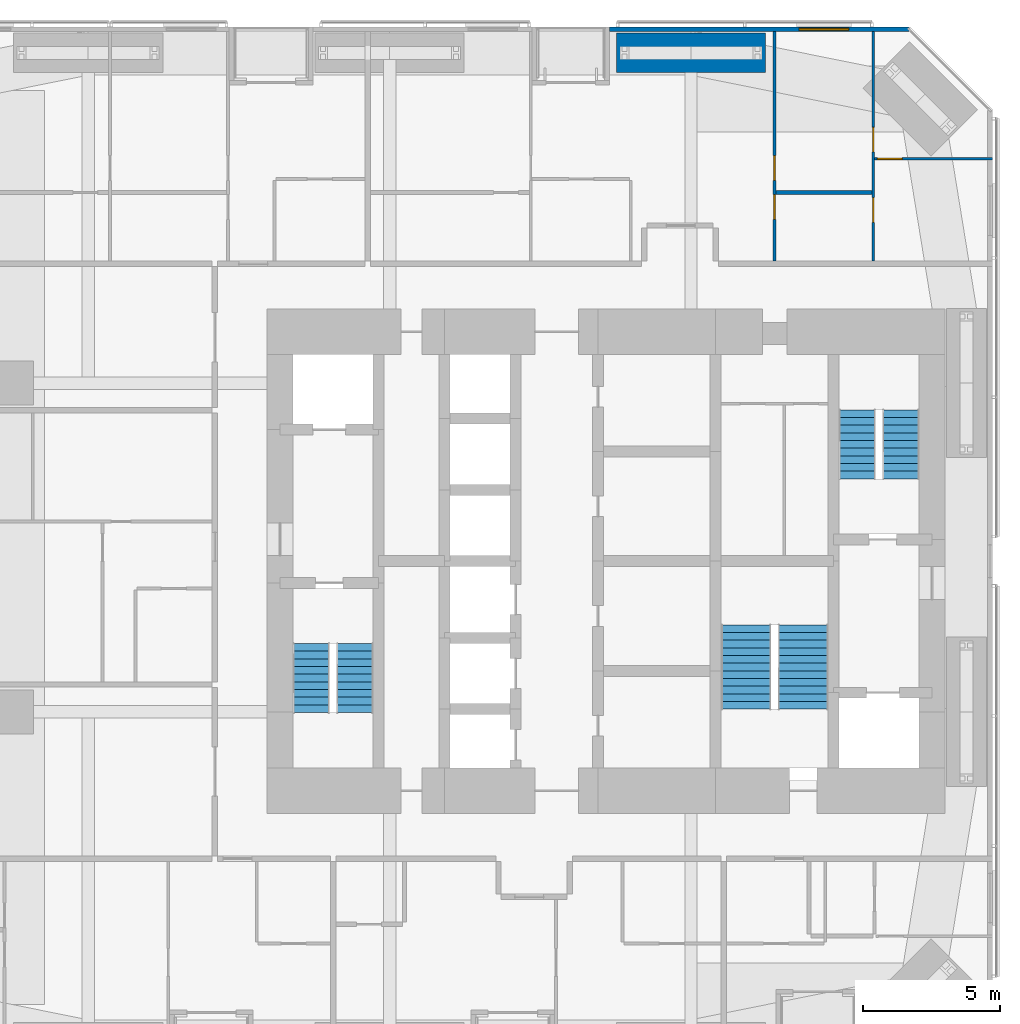
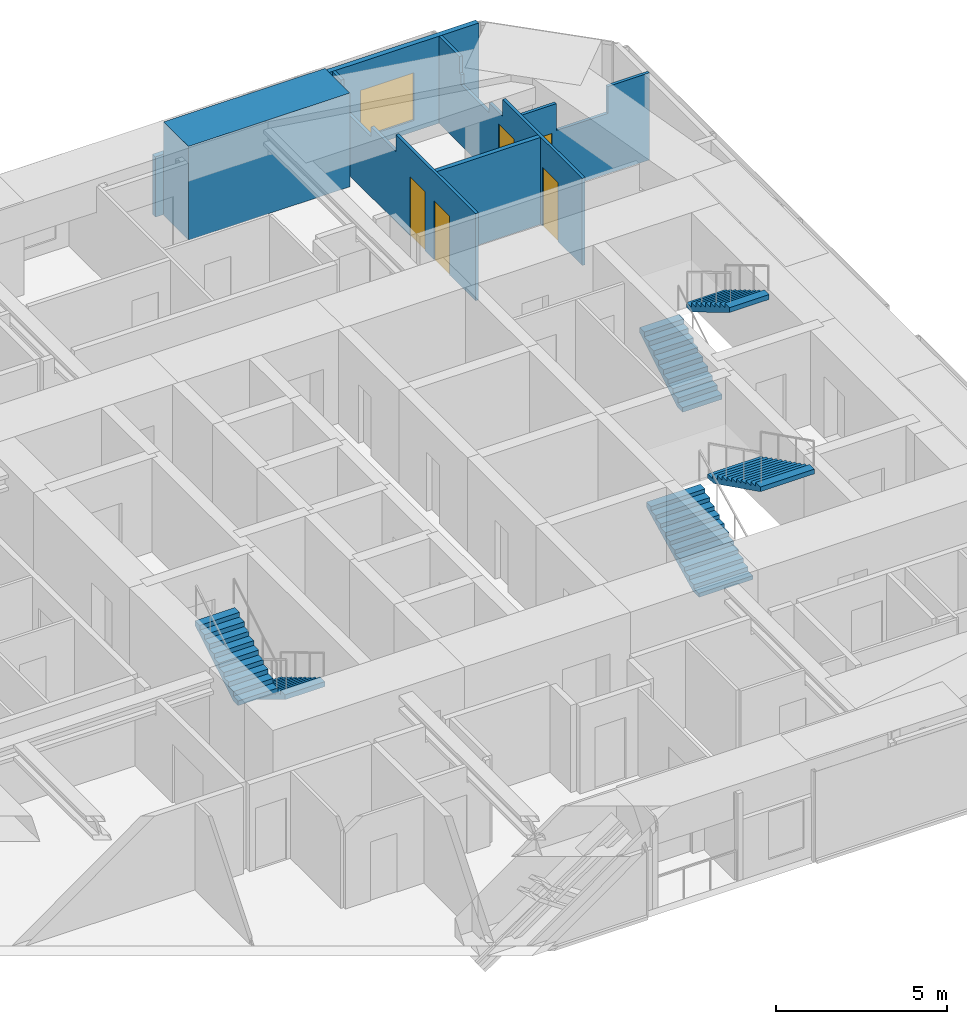
# One storey, part 22 of 23: 6 stair flights, 6 walls, 5 doors, 1 window, 6 openings, 3 elements without a shape of their own.
"""IFC4 building model written with IfcOpenShell, lengths in metres."""

from ifc_helpers import new_model, si_unit, direction, frame, frame_2d, origin, place, context, subcontext, project, spatial, polyline, rectangle, outline, extrude, material, layer, layer_set, constituent, constituent_set, type_object, element, fill, aggregate, save


model = new_model("IFC4")

# Units and contexts
model_context = context("Model", 3, precision=1e-05, world=origin(), true_north=direction((0.0, 1.0)))
body_context = subcontext(model_context, "Body", "Model", "MODEL_VIEW")
ifc_project = project(units=[si_unit("LENGTHUNIT", "METRE"), si_unit("AREAUNIT", "SQUARE_METRE"), si_unit("VOLUMEUNIT", "CUBIC_METRE"), si_unit("PLANEANGLEUNIT", "RADIAN"), si_unit("MASSUNIT", "GRAM", prefix="KILO")], contexts=[model_context])

# Site, building, storey
site_placement = place(None, origin())
site = spatial("IfcSite", under=ifc_project, at=site_placement, CompositionType="ELEMENT")
building_placement = place(site_placement, origin())
building = spatial("IfcBuilding", under=site, at=building_placement, Name="Jalousie Tower", CompositionType="ELEMENT")
storey_placement = place(building_placement, frame((0.0, 0.0, 37.75)))
storey = spatial("IfcBuildingStorey", under=building, at=storey_placement, Name="L09", CompositionType="ELEMENT", Elevation=37.75)

# Wall
ifc_material_1 = material(Name="Concrete block ASTM C90", Category="concrete")
ifc_constituent_1 = constituent(ifc_material_1, Name="Body")
ifc_material_2 = material(Name="Render")
ifc_constituent_2 = constituent(ifc_material_2, Name="Finish")
ifc_constituent_set_1 = constituent_set(constituents=[ifc_constituent_1, ifc_constituent_2])
wall_type_1 = type_object("IfcWallType", Name="BATHROOM WALL 150", PredefinedType="PLUMBINGWALL", material=ifc_constituent_set_1)
wall_1_placement = place(storey_placement, frame((38.10009765625, 31.949951171875, 0.0), z_axis=(0.0, 0.0, 1.0), x_axis=(1.0, 0.0, 0.0)))
element("IfcWall", 1, at=wall_1_placement, inside=storey, type_object=wall_type_1, Name="Bathroom Wall 150 L09", PredefinedType="PLUMBINGWALL", context=body_context, shape_type="SweptSolid", body=[
    extrude(rectangle(XDim=3.5, YDim=0.14990234375, at=frame_2d((1.75, 0.0))), origin(), (0.0, 0.0, 1.0), 3.110107421875),
])

# Wall, opening, window
ifc_material_3 = material(Name="Concrete f'c 40 MPa", Category="concrete")
ifc_constituent_3 = constituent(ifc_material_3, Name="Body")
ifc_material_4 = material(Name="Render, pastel coral")
ifc_constituent_4 = constituent(ifc_material_4, Name="Finish")
ifc_constituent_set_2 = constituent_set(constituents=[ifc_constituent_3, ifc_constituent_4])
wall_type_2 = type_object("IfcWallType", Name="EXTERNAL WALL 175 CORAL RENDER", PredefinedType="SOLIDWALL", material=ifc_constituent_set_2)
wall_2_placement = place(storey_placement, frame((42.94873046875, 37.91259765625, 0.0), z_axis=(0.0, 0.0, 1.0), x_axis=(-1.0, 0.0, 0.0)))
wall_2 = element("IfcWall", 2, at=wall_2_placement, inside=storey, type_object=wall_type_2, Name="External Wall 175 Coral Render L09", PredefinedType="SOLIDWALL", context=body_context, shape_type="SweptSolid", body=[
    extrude(outline(polyline([(0.0, 0.0), (10.923828125, 0.0), (10.923583984375, 2.14990234375), (7.94873046875, 2.14990234375), (7.94873046875, 3.110107421875), (7.79296875, 3.110107421875), (7.79296875, 2.14990234375), (7.74462890625, 2.14990234375), (7.74462890625, 3.110107421875), (0.0, 3.110107421875), (0.0, 0.0)])), frame((0.0, 0.08740234375, 0.0), z_axis=(0.0, -1.0, 0.0), x_axis=(1.0, 0.0, 0.0)), (0.0, 0.0, 1.0), 0.175048828125),
])
opening_1_placement = place(wall_2_placement, frame((2.19873046875, 0.0, 0.39990234375)))
opening_1 = element("IfcOpeningElement", 3, at=opening_1_placement, cuts=wall_2, Name="Opening W-BED170", PredefinedType="OPENING", context=body_context, shape_type="SweptSolid", body=[
    extrude(rectangle(XDim=1.800048828125, YDim=1.699951171875, at=frame_2d((0.89990234375, 0.85009765625))), frame((0.0, 0.097412109375, 0.0), z_axis=(0.0, -1.0, 0.0), x_axis=(1.0, 0.0, 0.0)), (0.0, 0.0, 1.0), 0.195068359375),
])
ifc_material_5 = material(Name="Aluminium frame, impact-rated glazing", Category="aluminium")
window_type = type_object("IfcWindowType", Name="WINDOW BED 1800x1700", PartitioningType="SINGLE_PANEL", PredefinedType="WINDOW", material=ifc_material_5)
window_placement = place(opening_1_placement, origin())
window = element("IfcWindow", 4, at=window_placement, inside=storey, type_object=window_type, Name="Apartment 0905 bedroom 2 window", OverallHeight=1.699951171875, OverallWidth=1.800048828125, PartitioningType="SINGLE_PANEL", PredefinedType="WINDOW", context=body_context, shape_type="SweptSolid", body=[
    extrude(rectangle(XDim=1.800048828125, YDim=1.699951171875, at=frame_2d((0.89990234375, 0.85009765625))), frame((0.0, 0.030029296875, 0.0), z_axis=(0.0, -1.0, 0.0), x_axis=(1.0, 0.0, 0.0)), (0.0, 0.0, 1.0), 0.06005859375),
])
fill(opening_1, window)

# Wall, openings, doors
ifc_material_6 = material(Name="Gypsum board", Category="gypsum")
ifc_constituent_5 = constituent(ifc_material_6, Name="Body")
ifc_material_7 = material(Name="Light-gauge steel studs ASTM A653 SS Grade 33", Category="steel")
ifc_constituent_6 = constituent(ifc_material_7, Name="Framing")
ifc_constituent_set_3 = constituent_set(constituents=[ifc_constituent_5, ifc_constituent_6])
wall_type_3 = type_object("IfcWallType", Name="PARTITION 100", PredefinedType="PARTITIONING", material=ifc_constituent_set_3)
wall_3_placement = place(storey_placement, frame((38.050048828125, 37.824951171875, 0.0), z_axis=(0.0, 0.0, 1.0), x_axis=(0.0, -1.0, 0.0)))
wall_3 = element("IfcWall", 5, at=wall_3_placement, inside=storey, type_object=wall_type_3, Name="Partition 100 L09", PredefinedType="PARTITIONING", context=body_context, shape_type="SweptSolid", body=[
    extrude(outline(polyline([(0.0, 0.0), (8.375, 0.0), (8.375, 3.110107421875), (3.71630859375, 3.110107421875), (3.71630859375, 2.510009765625), (2.264892578125, 2.510009765625), (2.264892578125, 2.14990234375), (0.510498046875, 2.14990234375), (0.510498046875, 3.110107421875), (0.0, 3.110107421875), (0.0, 0.0)])), frame((0.0, 0.050048828125, 0.0), z_axis=(0.0, -1.0, 0.0), x_axis=(1.0, 0.0, 0.0)), (0.0, 0.0, 1.0), 0.10009765625),
])
opening_2_placement = place(wall_3_placement, frame((4.52490234375, 0.0, 0.0)))
opening_2 = element("IfcOpeningElement", 6, at=opening_2_placement, cuts=wall_3, Name="Opening D2", PredefinedType="OPENING", context=body_context, shape_type="SweptSolid", body=[
    extrude(rectangle(XDim=0.89990234375, YDim=2.10009765625, at=frame_2d((0.449951171875, 1.050048828125))), frame((0.0, 0.06005859375, 0.0), z_axis=(0.0, -1.0, 0.0), x_axis=(1.0, 0.0, 0.0)), (0.0, 0.0, 1.0), 0.1201171875),
])
opening_3_placement = place(wall_3_placement, frame((5.949951171875, 0.0, 0.0)))
opening_3 = element("IfcOpeningElement", 7, at=opening_3_placement, cuts=wall_3, Name="Opening D7", PredefinedType="OPENING", context=body_context, shape_type="SweptSolid", body=[
    extrude(rectangle(XDim=0.89990234375, YDim=2.10009765625, at=frame_2d((0.449951171875, 1.050048828125))), frame((0.0, 0.06005859375, 0.0), z_axis=(0.0, -1.0, 0.0), x_axis=(1.0, 0.0, 0.0)), (0.0, 0.0, 1.0), 0.1201171875),
])
ifc_material_8 = material(Name="Timber door", Category="wood")
door_type_1 = type_object("IfcDoorType", Name="BEDROOM DOOR 900", OperationType="SINGLE_SWING_LEFT", PredefinedType="DOOR", material=ifc_material_8)
door_1_placement = place(opening_2_placement, origin())
door_1 = element("IfcDoor", 8, at=door_1_placement, inside=storey, type_object=door_type_1, Name="Apartment 0905 bedroom 2 door", OperationType="SINGLE_SWING_RIGHT", OverallHeight=2.10009765625, OverallWidth=0.89990234375, PredefinedType="DOOR", context=body_context, shape_type="SweptSolid", body=[
    extrude(rectangle(XDim=0.89990234375, YDim=2.10009765625, at=frame_2d((0.449951171875, 1.050048828125))), frame((0.0, 0.02490234375, 0.0), z_axis=(0.0, -1.0, 0.0), x_axis=(1.0, 0.0, 0.0)), (0.0, 0.0, 1.0), 0.050048828125),
])
fill(opening_2, door_1)
ifc_material_9 = material(Name="Timber door", Category="wood")
door_type_2 = type_object("IfcDoorType", Name="INTERNAL DOOR 900", OperationType="SINGLE_SWING_LEFT", PredefinedType="DOOR", material=ifc_material_9)
door_2_placement = place(opening_3_placement, origin())
door_2 = element("IfcDoor", 9, at=door_2_placement, inside=storey, type_object=door_type_2, Name="Apartment 0905 bathroom door", OperationType="SINGLE_SWING_LEFT", OverallHeight=2.10009765625, OverallWidth=0.89990234375, PredefinedType="DOOR", context=body_context, shape_type="SweptSolid", body=[
    extrude(rectangle(XDim=0.89990234375, YDim=2.10009765625, at=frame_2d((0.449951171875, 1.050048828125))), frame((0.0, 0.02490234375, 0.0), z_axis=(0.0, -1.0, 0.0), x_axis=(1.0, 0.0, 0.0)), (0.0, 0.0, 1.0), 0.050048828125),
])
fill(opening_3, door_2)

wall_4_placement = place(storey_placement, frame((41.64990234375, 37.824951171875, 0.0), z_axis=(0.0, 0.0, 1.0), x_axis=(0.0, -1.0, 0.0)))
wall_4 = element("IfcWall", 10, at=wall_4_placement, inside=storey, type_object=wall_type_3, Name="Partition 100 L09", PredefinedType="PARTITIONING", context=body_context, shape_type="SweptSolid", body=[
    extrude(outline(polyline([(0.0, 0.0), (8.375, 0.0), (8.375, 3.110107421875), (3.71630859375, 3.110107421875), (3.71630859375, 2.510009765625), (2.93701171875, 2.510009765625), (2.93701171875, 2.14990234375), (1.28515625, 2.14990234375), (1.28515625, 2.510009765625), (1.1962890625, 2.510009765625), (1.1962890625, 3.110107421875), (0.0, 3.110107421875), (0.0, 0.0)])), frame((0.0, 0.050048828125, 0.0), z_axis=(0.0, -1.0, 0.0), x_axis=(1.0, 0.0, 0.0)), (0.0, 0.0, 1.0), 0.10009765625),
])
opening_4_placement = place(wall_4_placement, frame((3.492431640625, 0.0, 0.0)))
opening_4 = element("IfcOpeningElement", 11, at=opening_4_placement, cuts=wall_4, Name="Opening D2", PredefinedType="OPENING", context=body_context, shape_type="SweptSolid", body=[
    extrude(rectangle(XDim=0.89990234375, YDim=2.10009765625, at=frame_2d((0.449951171875, 1.050048828125))), frame((0.0, 0.06005859375, 0.0), z_axis=(0.0, -1.0, 0.0), x_axis=(1.0, 0.0, 0.0)), (0.0, 0.0, 1.0), 0.1201171875),
])
opening_5_placement = place(wall_4_placement, frame((6.05859375, 0.0, 0.0)))
opening_5 = element("IfcOpeningElement", 12, at=opening_5_placement, cuts=wall_4, Name="Opening D3", PredefinedType="OPENING", context=body_context, shape_type="SweptSolid", body=[
    extrude(rectangle(XDim=0.89990234375, YDim=2.10009765625, at=frame_2d((0.449951171875, 1.050048828125))), frame((0.0, 0.06005859375, 0.0), z_axis=(0.0, -1.0, 0.0), x_axis=(1.0, 0.0, 0.0)), (0.0, 0.0, 1.0), 0.1201171875),
])
ifc_material_10 = material(Name="Timber door", Category="wood")
door_type_3 = type_object("IfcDoorType", Name="BATHROOM DOOR 900", OperationType="SINGLE_SWING_LEFT", PredefinedType="DOOR", material=ifc_material_10)
door_3_placement = place(opening_5_placement, frame((0.89990234375, 0.0, 0.0), z_axis=(0.0, 0.0, 1.0), x_axis=(-1.0, 0.0, 0.0)))
door_3 = element("IfcDoor", 13, at=door_3_placement, inside=storey, type_object=door_type_3, Name="Apartment 0905 bedroom 3 bathroom door", OperationType="SINGLE_SWING_RIGHT", OverallHeight=2.10009765625, OverallWidth=0.89990234375, PredefinedType="DOOR", context=body_context, shape_type="SweptSolid", body=[
    extrude(rectangle(XDim=0.89990234375, YDim=2.10009765625, at=frame_2d((0.449951171875, 1.050048828125))), frame((0.0, 0.02490234375, 0.0), z_axis=(0.0, -1.0, 0.0), x_axis=(1.0, 0.0, 0.0)), (0.0, 0.0, 1.0), 0.050048828125),
])
fill(opening_5, door_3)
door_4_placement = place(opening_4_placement, frame((0.89990234375, 0.0, 0.0), z_axis=(0.0, 0.0, 1.0), x_axis=(-1.0, 0.0, 0.0)))
door_4 = element("IfcDoor", 14, at=door_4_placement, inside=storey, type_object=door_type_1, Name="Apartment 0905 bedroom 3 door", OperationType="SINGLE_SWING_LEFT", OverallHeight=2.10009765625, OverallWidth=0.89990234375, PredefinedType="DOOR", context=body_context, shape_type="SweptSolid", body=[
    extrude(rectangle(XDim=0.89990234375, YDim=2.10009765625, at=frame_2d((0.449951171875, 1.050048828125))), frame((0.0, 0.02490234375, 0.0), z_axis=(0.0, -1.0, 0.0), x_axis=(1.0, 0.0, 0.0)), (0.0, 0.0, 1.0), 0.050048828125),
])
fill(opening_4, door_4)

# Wall, opening, door
wall_5_placement = place(storey_placement, frame((41.699951171875, 33.1826171875, 0.0), z_axis=(0.0, 0.0, 1.0), x_axis=(1.0, 0.0, 0.0)))
wall_5 = element("IfcWall", 15, at=wall_5_placement, inside=storey, type_object=wall_type_3, Name="Partition 100 L09", PredefinedType="PARTITIONING", context=body_context, shape_type="SweptSolid", body=[
    extrude(outline(polyline([(0.0, 0.0), (4.300048828125, 0.0), (4.300048828125, 3.110107421875), (2.894287109375, 3.110107421875), (2.894287109375, 2.14990234375), (1.15185546875, 2.14990234375), (1.15185546875, 3.110107421875), (0.0, 3.110107421875), (0.0, 0.0)])), frame((0.0, 0.050048828125, 0.0), z_axis=(0.0, -1.0, 0.0), x_axis=(1.0, 0.0, 0.0)), (0.0, 0.0, 1.0), 0.10009765625),
])
opening_6_placement = place(wall_5_placement, frame((0.10009765625, 0.0, 0.0)))
opening_6 = element("IfcOpeningElement", 16, at=opening_6_placement, cuts=wall_5, Name="Opening D7", PredefinedType="OPENING", context=body_context, shape_type="SweptSolid", body=[
    extrude(rectangle(XDim=0.89990234375, YDim=2.10009765625, at=frame_2d((0.449951171875, 1.050048828125))), frame((0.0, 0.06005859375, 0.0), z_axis=(0.0, -1.0, 0.0), x_axis=(1.0, 0.0, 0.0)), (0.0, 0.0, 1.0), 0.1201171875),
])
door_5_placement = place(opening_6_placement, frame((0.89990234375, 0.0, 0.0), z_axis=(0.0, 0.0, 1.0), x_axis=(-1.0, 0.0, 0.0)))
door_5 = element("IfcDoor", 17, at=door_5_placement, inside=storey, type_object=door_type_2, Name="Apartment 0905 bedroom 3 dressing hall door", OperationType="SINGLE_SWING_RIGHT", OverallHeight=2.10009765625, OverallWidth=0.89990234375, PredefinedType="DOOR", context=body_context, shape_type="SweptSolid", body=[
    extrude(rectangle(XDim=0.89990234375, YDim=2.10009765625, at=frame_2d((0.449951171875, 1.050048828125))), frame((0.0, 0.02490234375, 0.0), z_axis=(0.0, -1.0, 0.0), x_axis=(1.0, 0.0, 0.0)), (0.0, 0.0, 1.0), 0.050048828125),
])
fill(opening_6, door_5)

# Wall
ifc_material_11 = material(Name="Concrete f'c 120 MPa", Category="concrete")
ifc_layer = layer(ifc_material_11, 1.449951171875)
ifc_layer_set = layer_set([ifc_layer], Name="Concrete f'c 120 MPa")
wall_type_4 = type_object("IfcWallType", Name="RC WALL PIER 1450", PredefinedType="SHEAR", material=ifc_layer_set)
wall_6_placement = place(storey_placement, frame((32.27490234375, 37.050048828125, 0.0), z_axis=(0.0, 0.0, 1.0), x_axis=(1.0, 0.0, 0.0)))
element("IfcWall", 18, at=wall_6_placement, inside=storey, type_object=wall_type_4, Name="Wall pier 09 L09", PredefinedType="SHEAR", context=body_context, shape_type="SweptSolid", body=[
    extrude(rectangle(XDim=5.4501953125, YDim=1.449951171875, at=frame_2d((2.72509765625, 0.0))), origin(), (0.0, 0.0, 1.0), 3.35009765625),
])

# Stair, stair flights
ifc_material_12 = material(Name="Concrete f'c 40 MPa", Category="concrete")
stair_type = type_object("IfcStairType", Name="EXIT STAIR", PredefinedType="HALF_TURN_STAIR", material=ifc_material_12)
stair_1_placement = place(storey_placement, origin())
stair_1 = element("IfcStair", 19, at=stair_1_placement, inside=storey, type_object=stair_type, Name="Exit stair A L09", PredefinedType="HALF_TURN_STAIR")
ifc_material_13 = material(Name="Concrete f'c 40 MPa", Category="concrete")
stair_flight_type = type_object("IfcStairFlightType", Name="STAIR FLIGHT", PredefinedType="STRAIGHT", material=ifc_material_13)
stair_flight_1_placement = place(storey_placement, frame((22.731201171875, 15.49755859375, 0.0), z_axis=(0.0, 0.0, 1.0), x_axis=(0.0, -1.0, 0.0)))
stair_flight_1 = element("IfcStairFlight", 20, at=stair_flight_1_placement, type_object=stair_flight_type, Name="ST-A flight 1", NumberOfRisers=10, NumberOfTreads=9, PredefinedType="STRAIGHT", RiserHeight=0.1675, TreadLength=0.28, context=body_context, shape_type="SweptSolid", body=[
    extrude(outline(polyline([(0.0, 0.0), (0.0, 0.16748046875), (0.280029296875, 0.16748046875), (0.280029296875, 0.3349609375), (0.56005859375, 0.3349609375), (0.56005859375, 0.50244140625), (0.840087890625, 0.50244140625), (0.840087890625, 0.669921875), (1.1201171875, 0.669921875), (1.1201171875, 0.83740234375), (1.39990234375, 0.83740234375), (1.39990234375, 1.0048828125), (1.679931640625, 1.0048828125), (1.679931640625, 1.172607421875), (1.9599609375, 1.172607421875), (1.9599609375, 1.340087890625), (2.239990234375, 1.340087890625), (2.239990234375, 1.507568359375), (2.52001953125, 1.507568359375), (2.52001953125, 1.675048828125), (2.52001953125, 1.332763671875), (0.2919921875, 0.0), (0.0, 0.0)])), frame((0.0, 0.668701171875, 0.0), z_axis=(0.0, -1.0, 0.0), x_axis=(1.0, 0.0, 0.0)), (0.0, 0.0, 1.0), 1.33740234375),
])
stair_flight_2_placement = place(storey_placement, frame((21.143798828125, 12.9775390625, 1.675048828125), z_axis=(0.0, 0.0, 1.0), x_axis=(0.0, 1.0, 0.0)))
stair_flight_2 = element("IfcStairFlight", 21, at=stair_flight_2_placement, type_object=stair_flight_type, Name="ST-A flight 2", NumberOfRisers=10, NumberOfTreads=9, PredefinedType="STRAIGHT", RiserHeight=0.1675, TreadLength=0.28, context=body_context, shape_type="SweptSolid", body=[
    extrude(outline(polyline([(0.0, 0.0), (0.0, 0.16748046875), (0.280029296875, 0.16748046875), (0.280029296875, 0.3349609375), (0.56005859375, 0.3349609375), (0.56005859375, 0.50244140625), (0.840087890625, 0.50244140625), (0.840087890625, 0.669921875), (1.1201171875, 0.669921875), (1.1201171875, 0.83740234375), (1.39990234375, 0.83740234375), (1.39990234375, 1.0048828125), (1.679931640625, 1.0048828125), (1.679931640625, 1.172607421875), (1.9599609375, 1.172607421875), (1.9599609375, 1.340087890625), (2.239990234375, 1.340087890625), (2.239990234375, 1.507568359375), (2.52001953125, 1.507568359375), (2.52001953125, 1.675048828125), (2.52001953125, 1.332763671875), (0.2919921875, 0.0), (0.0, 0.0)])), frame((0.0, 0.668701171875, 0.0), z_axis=(0.0, -1.0, 0.0), x_axis=(1.0, 0.0, 0.0)), (0.0, 0.0, 1.0), 1.33740234375),
])
aggregate(stair_1, [stair_flight_1, stair_flight_2])

stair_2_placement = place(storey_placement, origin())
stair_2 = element("IfcStair", 22, at=stair_2_placement, inside=storey, type_object=stair_type, Name="Exit stair B L09", PredefinedType="HALF_TURN_STAIR")
stair_flight_3_placement = place(storey_placement, frame((41.06884765625, 21.50244140625, 0.0), z_axis=(0.0, 0.0, 1.0), x_axis=(0.0, 1.0, 0.0)))
stair_flight_3 = element("IfcStairFlight", 23, at=stair_flight_3_placement, type_object=stair_flight_type, Name="ST-B flight 1", NumberOfRisers=10, NumberOfTreads=9, PredefinedType="STRAIGHT", RiserHeight=0.1675, TreadLength=0.28, context=body_context, shape_type="SweptSolid", body=[
    extrude(outline(polyline([(0.0, 0.0), (0.0, 0.16748046875), (0.280029296875, 0.16748046875), (0.280029296875, 0.3349609375), (0.56005859375, 0.3349609375), (0.56005859375, 0.50244140625), (0.840087890625, 0.50244140625), (0.840087890625, 0.669921875), (1.1201171875, 0.669921875), (1.1201171875, 0.83740234375), (1.39990234375, 0.83740234375), (1.39990234375, 1.0048828125), (1.679931640625, 1.0048828125), (1.679931640625, 1.172607421875), (1.9599609375, 1.172607421875), (1.9599609375, 1.340087890625), (2.239990234375, 1.340087890625), (2.239990234375, 1.507568359375), (2.52001953125, 1.507568359375), (2.52001953125, 1.675048828125), (2.52001953125, 1.332763671875), (0.2919921875, 0.0), (0.0, 0.0)])), frame((0.0, 0.668701171875, 0.0), z_axis=(0.0, -1.0, 0.0), x_axis=(1.0, 0.0, 0.0)), (0.0, 0.0, 1.0), 1.33740234375),
])
stair_flight_4_placement = place(storey_placement, frame((42.65625, 24.0224609375, 1.675048828125), z_axis=(0.0, 0.0, 1.0), x_axis=(0.0, -1.0, 0.0)))
stair_flight_4 = element("IfcStairFlight", 24, at=stair_flight_4_placement, type_object=stair_flight_type, Name="ST-B flight 2", NumberOfRisers=10, NumberOfTreads=9, PredefinedType="STRAIGHT", RiserHeight=0.1675, TreadLength=0.28, context=body_context, shape_type="SweptSolid", body=[
    extrude(outline(polyline([(0.0, 0.0), (0.0, 0.16748046875), (0.280029296875, 0.16748046875), (0.280029296875, 0.3349609375), (0.56005859375, 0.3349609375), (0.56005859375, 0.50244140625), (0.840087890625, 0.50244140625), (0.840087890625, 0.669921875), (1.1201171875, 0.669921875), (1.1201171875, 0.83740234375), (1.39990234375, 0.83740234375), (1.39990234375, 1.0048828125), (1.679931640625, 1.0048828125), (1.679931640625, 1.172607421875), (1.9599609375, 1.172607421875), (1.9599609375, 1.340087890625), (2.239990234375, 1.340087890625), (2.239990234375, 1.507568359375), (2.52001953125, 1.507568359375), (2.52001953125, 1.675048828125), (2.52001953125, 1.332763671875), (0.2919921875, 0.0), (0.0, 0.0)])), frame((0.0, 0.668701171875, 0.0), z_axis=(0.0, -1.0, 0.0), x_axis=(1.0, 0.0, 0.0)), (0.0, 0.0, 1.0), 1.33740234375),
])
aggregate(stair_2, [stair_flight_3, stair_flight_4])

stair_3_placement = place(storey_placement, origin())
stair_3 = element("IfcStair", 25, at=stair_3_placement, inside=storey, type_object=stair_type, Name="Exit stair C L09", PredefinedType="HALF_TURN_STAIR")
stair_flight_5_placement = place(storey_placement, frame((37.012451171875, 13.097412109375, 0.0), z_axis=(0.0, 0.0, 1.0), x_axis=(0.0, 1.0, 0.0)))
stair_flight_5 = element("IfcStairFlight", 26, at=stair_flight_5_placement, type_object=stair_flight_type, Name="ST-C flight 1", NumberOfRisers=12, NumberOfTreads=11, PredefinedType="STRAIGHT", RiserHeight=0.139583333, TreadLength=0.28, context=body_context, shape_type="SweptSolid", body=[
    extrude(outline(polyline([(0.0, 0.0), (0.0, 0.1396484375), (0.280029296875, 0.1396484375), (0.280029296875, 0.279052734375), (0.56005859375, 0.279052734375), (0.56005859375, 0.418701171875), (0.840087890625, 0.418701171875), (0.840087890625, 0.558349609375), (1.1201171875, 0.558349609375), (1.1201171875, 0.697998046875), (1.39990234375, 0.697998046875), (1.39990234375, 0.83740234375), (1.679931640625, 0.83740234375), (1.679931640625, 0.97705078125), (1.9599609375, 0.97705078125), (1.9599609375, 1.11669921875), (2.239990234375, 1.11669921875), (2.239990234375, 1.25634765625), (2.52001953125, 1.25634765625), (2.52001953125, 1.395751953125), (2.800048828125, 1.395751953125), (2.800048828125, 1.535400390625), (3.080078125, 1.535400390625), (3.080078125, 1.675048828125), (3.080078125, 1.367919921875), (0.3359375, 0.0), (0.0, 0.0)])), frame((0.0, 0.91259765625, 0.0), z_axis=(0.0, -1.0, 0.0), x_axis=(1.0, 0.0, 0.0)), (0.0, 0.0, 1.0), 1.824951171875),
])
stair_flight_6_placement = place(storey_placement, frame((39.08740234375, 16.177490234375, 1.675048828125), z_axis=(0.0, 0.0, 1.0), x_axis=(0.0, -1.0, 0.0)))
stair_flight_6 = element("IfcStairFlight", 27, at=stair_flight_6_placement, type_object=stair_flight_type, Name="ST-C flight 2", NumberOfRisers=12, NumberOfTreads=11, PredefinedType="STRAIGHT", RiserHeight=0.139583333, TreadLength=0.28, context=body_context, shape_type="SweptSolid", body=[
    extrude(outline(polyline([(0.0, 0.0), (0.0, 0.1396484375), (0.280029296875, 0.1396484375), (0.280029296875, 0.279052734375), (0.56005859375, 0.279052734375), (0.56005859375, 0.418701171875), (0.840087890625, 0.418701171875), (0.840087890625, 0.558349609375), (1.1201171875, 0.558349609375), (1.1201171875, 0.697998046875), (1.39990234375, 0.697998046875), (1.39990234375, 0.83740234375), (1.679931640625, 0.83740234375), (1.679931640625, 0.97705078125), (1.9599609375, 0.97705078125), (1.9599609375, 1.11669921875), (2.239990234375, 1.11669921875), (2.239990234375, 1.25634765625), (2.52001953125, 1.25634765625), (2.52001953125, 1.395751953125), (2.800048828125, 1.395751953125), (2.800048828125, 1.535400390625), (3.080078125, 1.535400390625), (3.080078125, 1.675048828125), (3.080078125, 1.367919921875), (0.3359375, 0.0), (0.0, 0.0)])), frame((0.0, 0.91259765625, 0.0), z_axis=(0.0, -1.0, 0.0), x_axis=(1.0, 0.0, 0.0)), (0.0, 0.0, 1.0), 1.824951171875),
])
aggregate(stair_3, [stair_flight_5, stair_flight_6])

save(model, "model.ifc")
